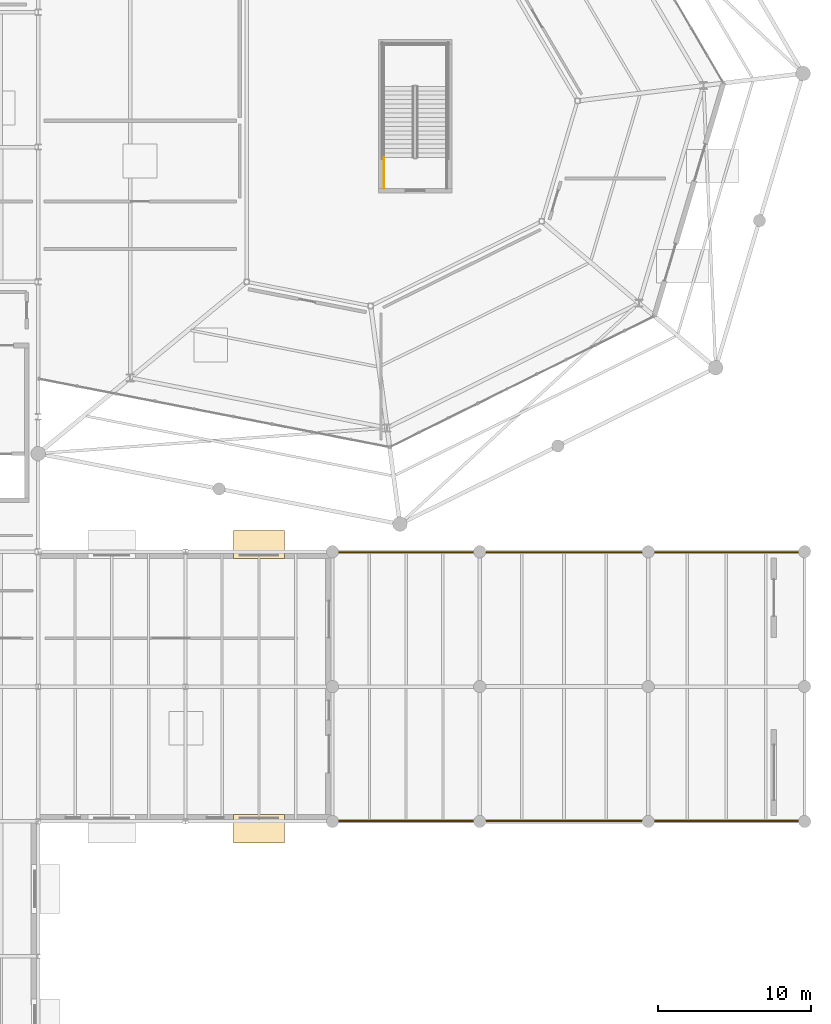
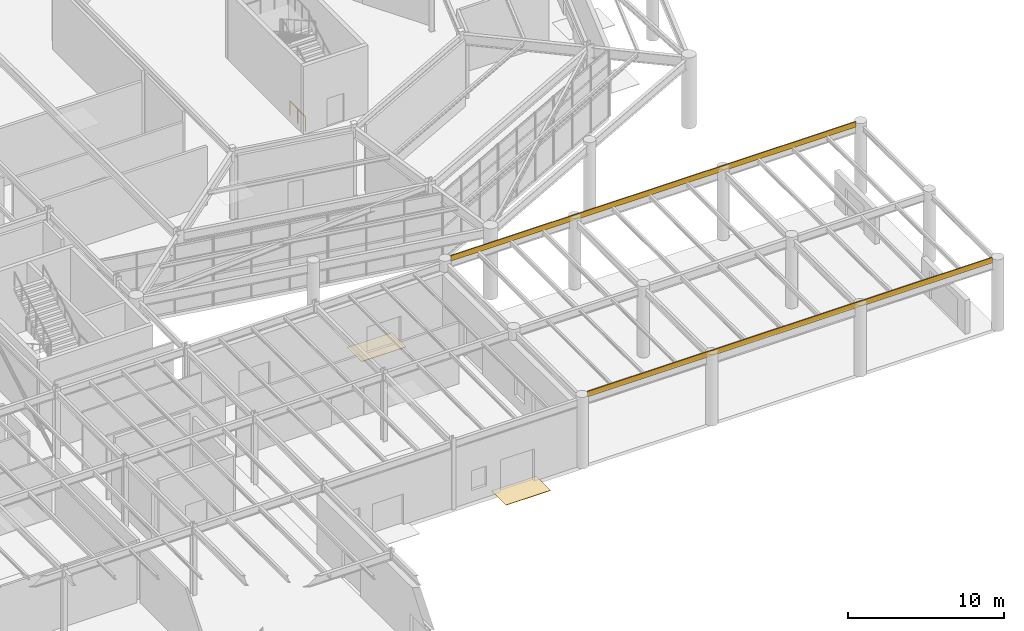
# One storey, part 69 of 70: 4 coverings, 1 railing.
"""IFC4 building model written with IfcOpenShell, lengths in metres."""

from ifc_helpers import new_model, si_unit, direction, frame, origin, origin_2d, place, context, subcontext, project, spatial, rectangle, circle, extrude, material, layer, layer_set, type_object, element, save


model = new_model("IFC4")

# Units and contexts
model_context = context("Model", 3, precision=1e-05, world=origin(), true_north=direction((0.0, 1.0)))
body_context = subcontext(model_context, "Body", "Model", "MODEL_VIEW")
ifc_project = project(units=[si_unit("LENGTHUNIT", "METRE"), si_unit("AREAUNIT", "SQUARE_METRE"), si_unit("VOLUMEUNIT", "CUBIC_METRE"), si_unit("PLANEANGLEUNIT", "RADIAN"), si_unit("MASSUNIT", "GRAM", prefix="KILO")], contexts=[model_context])

# Site, building, storey
site_placement = place(None, origin())
site = spatial("IfcSite", under=ifc_project, at=site_placement, CompositionType="ELEMENT")
building_placement = place(site_placement, origin())
building = spatial("IfcBuilding", under=site, at=building_placement, Name="Sarnbrook Museum", CompositionType="ELEMENT")
storey_placement = place(building_placement, origin())
storey = spatial("IfcBuildingStorey", under=building, at=storey_placement, Name="L00", CompositionType="ELEMENT", Elevation=0.0)

# Coverings
ifc_material_1 = material(Name="Barrabool Sandstone Ashlar Cladding", Category="masonry")
ifc_layer_1 = layer(ifc_material_1, 0.074951171875)
ifc_layer_set_1 = layer_set([ifc_layer_1], Name="Barrabool Sandstone Ashlar Cladding")
covering_type_1 = type_object("IfcCoveringType", Name="Cladding_SandstoneCornice", PredefinedType="CLADDING", material=ifc_layer_set_1)
for number, where, z_axis, x_axis, name in (
    (1, (153.800048828125, 39.22998046875, 5.239990234375), (0.0, 0.0, 1.0), (1.0, 0.0, 0.0), "Classical Dressed Sandstone Entablature Cornice CL-3"),
    (2, (153.800048828125, 56.77001953125, 5.239990234375), (0.0, 0.0, 1.0), (1.0, 0.0, 0.0), "Classical Dressed Sandstone Entablature Cornice CL-4"),
):
    element("IfcCovering", number, at=place(storey_placement, frame(where, z_axis=z_axis, x_axis=x_axis)), inside=storey, type_object=covering_type_1, Name=name, PredefinedType="CLADDING", context=body_context, shape_type="SweptSolid", body=[
        extrude(rectangle(XDim=30.0, YDim=0.080078125, at=origin_2d()), origin(), (0.0, 0.0, 1.0), 0.419921875),
    ])

# Railing
ifc_material_2 = material(Name="Brushed Stainless Steel Grade 316", Category="steel")
ifc_layer_2 = layer(ifc_material_2, 0.050048828125)
ifc_layer_set_2 = layer_set([ifc_layer_2], Name="Brushed Stainless Steel Grade 316")
railing_type = type_object("IfcRailingType", Name="Guard_Int1120", PredefinedType="BALUSTRADE", material=ifc_layer_set_2)
railing_placement = place(storey_placement, frame((141.75, 80.5, 0.0)))
element("IfcRailing", 3, at=railing_placement, inside=storey, type_object=railing_type, Name="L00 ST7 stair guard 9", PredefinedType="BALUSTRADE", context=body_context, shape_type="SweptSolid", body=[
    extrude(circle(Radius=0.02392578125, at=origin_2d()), frame((0.0, 0.0, 1.09619140625), z_axis=(0.0, 1.0, 0.0), x_axis=(-1.0, 0.0, 0.0)), (0.0, 0.0, 1.0), 2.02001953125),
    extrude(circle(Radius=0.02099609375, at=origin_2d()), origin(), (0.0, 0.0, 1.0), 1.072021484375),
    extrude(circle(Radius=0.02099609375, at=origin_2d()), frame((0.0, 1.010009765625, 0.0)), (0.0, 0.0, 1.0), 1.072021484375),
    extrude(circle(Radius=0.02099609375, at=origin_2d()), frame((0.0, 2.02001953125, 0.0)), (0.0, 0.0, 1.0), 1.072021484375),
])

# Coverings
ifc_material_3 = material(Name="Victorian Bluestone Ashlar Masonry", Category="masonry")
ifc_layer_3 = layer(ifc_material_3, 0.030029296875)
ifc_layer_set_3 = layer_set([ifc_layer_3], Name="Victorian Bluestone Ashlar Masonry")
covering_type_2 = type_object("IfcCoveringType", Name="Paving_BluestoneApron", PredefinedType="FLOORING", material=ifc_layer_set_3)
for number, where, z_axis, x_axis, name in (
    (4, (133.60009765625, 38.72998046875, -0.02978515625), (0.0, 0.0, 1.0), (1.0, 0.0, 0.0), "Exterior Bluestone Entry Paving 14"),
    (5, (133.60009765625, 57.27001953125, -0.02978515625), (0.0, 0.0, 1.0), (1.0, 0.0, 0.0), "Exterior Bluestone Entry Paving 16"),
):
    element("IfcCovering", number, at=place(storey_placement, frame(where, z_axis=z_axis, x_axis=x_axis)), inside=storey, type_object=covering_type_2, Name=name, PredefinedType="FLOORING", context=body_context, shape_type="SweptSolid", body=[
        extrude(rectangle(XDim=3.300048828125, YDim=1.85009765625, at=origin_2d()), origin(), (0.0, 0.0, 1.0), 0.030029296875),
    ])

save(model, "model.ifc")
